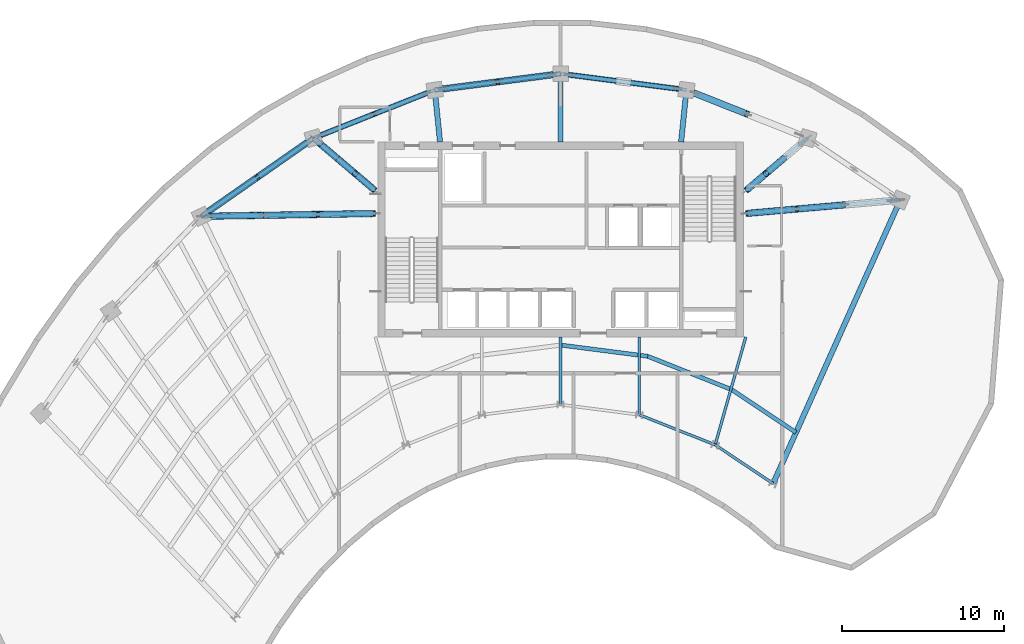
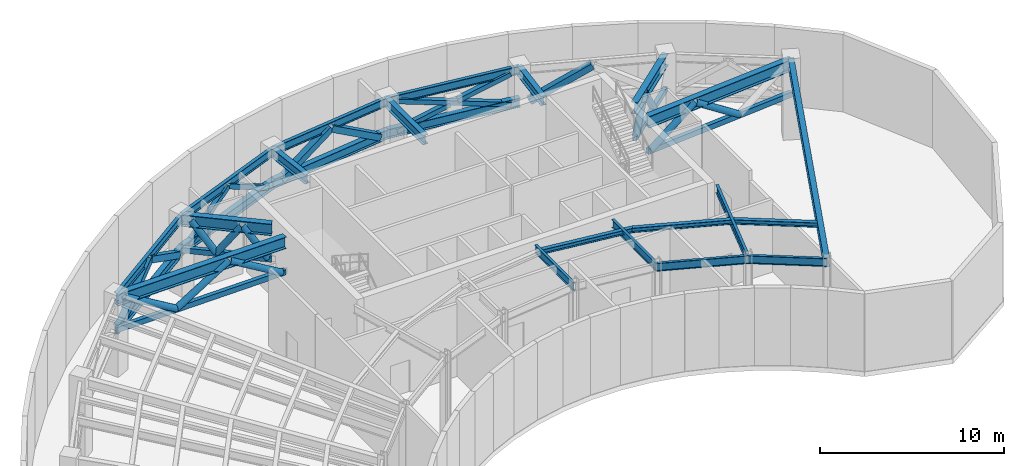
# One storey, part 2 of 10: 24 beams, 24 members.
"""IFC4 building model written with IfcOpenShell, lengths in metres."""

from ifc_helpers import new_model, si_unit, direction, frame, origin, origin_2d, place, context, subcontext, project, spatial, hollow_rectangle, hollow_circle, i_section, extrude, source, transform, mapped, material, material_profile, profile_set, type_object, type_shapes, element, save


model = new_model("IFC4")

# Units and contexts
model_context = context("Model", 3, precision=1e-05, world=origin(), true_north=direction((0.0, 1.0)))
body_context = subcontext(model_context, "Body", "Model", "MODEL_VIEW")
ifc_project = project(units=[si_unit("LENGTHUNIT", "METRE"), si_unit("AREAUNIT", "SQUARE_METRE"), si_unit("VOLUMEUNIT", "CUBIC_METRE"), si_unit("PLANEANGLEUNIT", "RADIAN"), si_unit("MASSUNIT", "GRAM", prefix="KILO")], contexts=[model_context])

# Site, building, storey
site_placement = place(None, origin())
site = spatial("IfcSite", under=ifc_project, at=site_placement, CompositionType="ELEMENT")
building_placement = place(site_placement, origin())
building = spatial("IfcBuilding", under=site, at=building_placement, Name="Breltana Convention Tower", CompositionType="ELEMENT")
storey_placement = place(building_placement, frame((0.0, 0.0, 254.699951171875)))
storey = spatial("IfcBuildingStorey", under=building, at=storey_placement, Name="L62", CompositionType="ELEMENT", Elevation=254.699951171875)

# Members
ifc_material_1 = material(Name="Steel EN 10210 S355J2H", Category="steel")
ifc_material_profile_1 = material_profile(ifc_material_1, hollow_rectangle(XDim=0.25, YDim=0.35009765625, WallThickness=0.011962890625, at=origin_2d()), Name="RHS350X250X12")
ifc_profile_set_1 = profile_set([ifc_material_profile_1], Name="Steel EN 10210 S355J2H")
member_type_1 = type_object("IfcMemberType", Name="MB-CH-RHS350X250X12", PredefinedType="CHORD", material=ifc_profile_set_1)
shared_shape_1 = source(origin(), body_context, "Body", "SweptSolid", [
    extrude(hollow_rectangle(XDim=0.25, YDim=0.35009765625, WallThickness=0.011962890625, at=origin_2d()), origin(), (0.0, 0.0, 1.0), 10.7138671875),
])
type_shapes(member_type_1, [shared_shape_1])
member_1_placement = place(storey_placement, frame((36.60009765625, 67.800048828125, 2.75), z_axis=(-0.999869477978, -0.016156330277, 0.0), x_axis=(0.016156330277, -0.999869477978, 0.0)))
element("IfcMember", 1, at=member_1_placement, inside=storey, type_object=member_type_1, Name="L62 Outrigger Truss Bottom Chord R03W", PredefinedType="CHORD", context=body_context, shape_type="MappedRepresentation", body=[
    mapped(shared_shape_1, transform((0.0, 0.0, 0.0), scale=1.0)),
])
shared_shape_2 = source(origin(), body_context, "Body", "SweptSolid", [
    extrude(hollow_rectangle(XDim=0.25, YDim=0.35009765625, WallThickness=0.011962890625, at=origin_2d()), origin(), (0.0, 0.0, 1.0), 5.002197265625),
])
for number, where, z_axis, x_axis, name in (
    (2, (36.60009765625, 69.199951171875, 2.75), (-0.761474293841, 0.648195109377, 0.0), (-0.648195109377, -0.761474293841, 0.0), "L62 Outrigger Truss Bottom Chord R04N"),
    (3, (59.39990234375, 69.199951171875, 2.75), (0.761474293841, 0.648195109377, 0.0), (-0.648195109377, 0.761474293841, 0.0), "L62 Outrigger Truss Bottom Chord R08N"),
):
    element("IfcMember", number, at=place(storey_placement, frame(where, z_axis=z_axis, x_axis=x_axis)), inside=storey, type_object=member_type_1, Name=name, PredefinedType="CHORD", context=body_context, shape_type="MappedRepresentation", body=[
        mapped(shared_shape_2, transform((0.0, 0.0, 0.0), scale=1.0)),
    ])
shared_shape_3 = source(origin(), body_context, "Body", "SweptSolid", [
    extrude(hollow_rectangle(XDim=0.25, YDim=0.35009765625, WallThickness=0.011962890625, at=origin_2d()), origin(), (0.0, 0.0, 1.0), 9.546875),
])
member_2_placement = place(storey_placement, frame((59.39990234375, 67.800048828125, 2.75), z_axis=(0.996183857182, 0.087279566283, 0.0), x_axis=(-0.087279566283, 0.996183857182, 0.0)))
element("IfcMember", 4, at=member_2_placement, inside=storey, type_object=member_type_1, Name="L62 Outrigger Truss Bottom Chord R09E", PredefinedType="CHORD", context=body_context, shape_type="MappedRepresentation", body=[
    mapped(shared_shape_3, transform((0.0, 0.0, 0.0), scale=1.0)),
])

# Beams
ifc_material_2 = material(Name="Steel ASTM A992 Grade 50", Category="steel")
ifc_material_profile_2 = material_profile(ifc_material_2, i_section(OverallWidth=0.323974609375, OverallDepth=0.611083984375, WebThickness=0.0126953125, FlangeThickness=0.01904296875, at=origin_2d()), Name="W24X104")
ifc_profile_set_2 = profile_set([ifc_material_profile_2], Name="Steel ASTM A992 Grade 50")
beam_type_1 = type_object("IfcBeamType", Name="BM-SP-W24X104", PredefinedType="SPANDREL", material=ifc_profile_set_2)
shared_shape_4 = source(origin(), body_context, "Body", "SweptSolid", [
    extrude(i_section(OverallWidth=0.323974609375, OverallDepth=0.611083984375, WebThickness=0.0126953125, FlangeThickness=0.01904296875, at=origin_2d()), origin(), (0.0, 0.0, 1.0), 8.4169921875),
])
beam_1_placement = place(storey_placement, frame((25.8876953125, 67.626953125, 2.75), z_axis=(0.820173800102, 0.572114444519, 0.0), x_axis=(-0.572114444519, 0.820173800102, 0.0)))
element("IfcBeam", 5, at=beam_1_placement, inside=storey, type_object=beam_type_1, Name="L62 Perimeter Belt Truss Sill Chord 03", PredefinedType="SPANDREL", context=body_context, shape_type="MappedRepresentation", body=[
    mapped(shared_shape_4, transform((0.0, 0.0, 0.0), scale=1.0)),
])
shared_shape_5 = source(origin(), body_context, "Body", "SweptSolid", [
    extrude(i_section(OverallWidth=0.323974609375, OverallDepth=0.611083984375, WebThickness=0.0126953125, FlangeThickness=0.01904296875, at=origin_2d()), origin(), (0.0, 0.0, 1.0), 8.028564453125),
])
beam_2_placement = place(storey_placement, frame((32.791015625, 72.4423828125, 2.75), z_axis=(0.929459100394, 0.368925169507, 0.0), x_axis=(-0.368925169507, 0.929459100394, 0.0)))
element("IfcBeam", 6, at=beam_2_placement, inside=storey, type_object=beam_type_1, Name="L62 Perimeter Belt Truss Sill Chord 04", PredefinedType="SPANDREL", context=body_context, shape_type="MappedRepresentation", body=[
    mapped(shared_shape_5, transform((0.0, 0.0, 0.0), scale=1.0)),
])
shared_shape_6 = source(origin(), body_context, "Body", "SweptSolid", [
    extrude(i_section(OverallWidth=0.323974609375, OverallDepth=0.611083984375, WebThickness=0.0126953125, FlangeThickness=0.01904296875, at=origin_2d()), origin(), (0.0, 0.0, 1.0), 7.81103515625),
])
for number, where, z_axis, x_axis, name in (
    (7, (40.253173828125, 75.404296875, 2.75), (0.991775179127, 0.127992164083, 0.0), (-0.127992164083, 0.991775179127, 0.0), "L62 Perimeter Belt Truss Sill Chord 05"),
    (8, (48.0, 76.404052734375, 2.75), (0.991775179127, -0.127992164083, 0.0), (0.127992164083, 0.991775179127, 0.0), "L62 Perimeter Belt Truss Sill Chord 06"),
):
    element("IfcBeam", number, at=place(storey_placement, frame(where, z_axis=z_axis, x_axis=x_axis)), inside=storey, type_object=beam_type_1, Name=name, PredefinedType="SPANDREL", context=body_context, shape_type="MappedRepresentation", body=[
        mapped(shared_shape_6, transform((0.0, 0.0, 0.0), scale=1.0)),
    ])
ifc_material_profile_3 = material_profile(ifc_material_2, i_section(OverallWidth=0.381103515625, OverallDepth=0.77294921875, WebThickness=0.0166015625, FlangeThickness=0.027099609375, at=origin_2d()), Name="W30X173")
ifc_profile_set_3 = profile_set([ifc_material_profile_3], Name="Steel ASTM A992 Grade 50")
beam_type_2 = type_object("IfcBeamType", Name="BM-OT-W30X173", PredefinedType="USERDEFINED", material=ifc_profile_set_3)
shared_shape_7 = source(origin(), body_context, "Body", "SweptSolid", [
    extrude(i_section(OverallWidth=0.381103515625, OverallDepth=0.77294921875, WebThickness=0.0166015625, FlangeThickness=0.027099609375, at=origin_2d()), origin(), (0.0, 0.0, 1.0), 10.7138671875),
])
type_shapes(beam_type_2, [shared_shape_7])
beam_3_placement = place(storey_placement, frame((36.60009765625, 67.800048828125, 4.763427734375), z_axis=(-0.999869477978, -0.016156330277, 0.0), x_axis=(0.016156330277, -0.999869477978, 0.0)))
element("IfcBeam", 9, at=beam_3_placement, inside=storey, type_object=beam_type_2, Name="L62 Outrigger Top Chord R03W", ObjectType="GIRDER", PredefinedType="USERDEFINED", context=body_context, shape_type="MappedRepresentation", body=[
    mapped(shared_shape_7, transform((0.0, 0.0, 0.0), scale=1.0)),
])
shared_shape_8 = source(origin(), body_context, "Body", "SweptSolid", [
    extrude(i_section(OverallWidth=0.381103515625, OverallDepth=0.77294921875, WebThickness=0.0166015625, FlangeThickness=0.027099609375, at=origin_2d()), origin(), (0.0, 0.0, 1.0), 5.002197265625),
])
for number, where, z_axis, x_axis, name in (
    (10, (36.60009765625, 69.199951171875, 4.763427734375), (-0.761474293841, 0.648195109377, 0.0), (-0.648195109377, -0.761474293841, 0.0), "L62 Outrigger Top Chord R04N"),
    (11, (59.39990234375, 69.199951171875, 4.763427734375), (0.761474293841, 0.648195109377, 0.0), (-0.648195109377, 0.761474293841, 0.0), "L62 Outrigger Top Chord R08N"),
):
    element("IfcBeam", number, at=place(storey_placement, frame(where, z_axis=z_axis, x_axis=x_axis)), inside=storey, type_object=beam_type_2, Name=name, ObjectType="GIRDER", PredefinedType="USERDEFINED", context=body_context, shape_type="MappedRepresentation", body=[
        mapped(shared_shape_8, transform((0.0, 0.0, 0.0), scale=1.0)),
    ])
shared_shape_9 = source(origin(), body_context, "Body", "SweptSolid", [
    extrude(i_section(OverallWidth=0.381103515625, OverallDepth=0.77294921875, WebThickness=0.0166015625, FlangeThickness=0.027099609375, at=origin_2d()), origin(), (0.0, 0.0, 1.0), 9.546875),
])
beam_4_placement = place(storey_placement, frame((59.39990234375, 67.800048828125, 4.763427734375), z_axis=(0.996183857182, 0.087279566283, 0.0), x_axis=(-0.087279566283, 0.996183857182, 0.0)))
element("IfcBeam", 12, at=beam_4_placement, inside=storey, type_object=beam_type_2, Name="L62 Outrigger Top Chord R09E", ObjectType="GIRDER", PredefinedType="USERDEFINED", context=body_context, shape_type="MappedRepresentation", body=[
    mapped(shared_shape_9, transform((0.0, 0.0, 0.0), scale=1.0)),
])

# Members
ifc_material_profile_4 = material_profile(ifc_material_1, hollow_circle(Radius=0.202880859375, WallThickness=0.01611328125, at=origin_2d()), Name="CHS406X16")
ifc_profile_set_4 = profile_set([ifc_material_profile_4], Name="Steel EN 10210 S355J2H")
member_type_2 = type_object("IfcMemberType", Name="MB-BR-CHS406X16", PredefinedType="BRACE", material=ifc_profile_set_4)
shared_shape_10 = source(origin(), body_context, "Body", "SweptSolid", [
    extrude(hollow_circle(Radius=0.202880859375, WallThickness=0.01611328125, at=origin_2d()), origin(), (0.0, 0.0, 1.0), 3.898193359375),
])
for number, where, z_axis, x_axis, name in (
    (13, (36.39990234375, 67.796875, 2.75), (-0.856164867566, -0.013841436411, 0.516517312569), (0.016164676285, -0.999869343085, 0.0), "L62 Outrigger Truss Diagonal 1 R03W"),
    (14, (33.0625, 67.742919921875, 4.763427734375), (-0.856164867566, -0.013841436411, -0.516517312569), (0.016164676285, -0.999869343085, 0.0), "L62 Outrigger Truss Diagonal 2 R03W"),
    (15, (29.72509765625, 67.68896484375, 2.75), (-0.856164867566, -0.013841436411, 0.516517312569), (0.016164676285, -0.999869343085, 0.0), "L62 Outrigger Truss Diagonal 3 R03W"),
):
    element("IfcMember", number, at=place(storey_placement, frame(where, z_axis=z_axis, x_axis=x_axis)), inside=storey, type_object=member_type_2, Name=name, PredefinedType="BRACE", context=body_context, shape_type="MappedRepresentation", body=[
        mapped(shared_shape_10, transform((0.0, 0.0, 0.0), scale=1.0)),
    ])
shared_shape_11 = source(origin(), body_context, "Body", "SweptSolid", [
    extrude(hollow_circle(Radius=0.202880859375, WallThickness=0.01611328125, at=origin_2d()), origin(), (0.0, 0.0, 1.0), 2.471923828125),
])
for number, where, z_axis, x_axis, name in (
    (16, (36.44775390625, 69.32958984375, 2.75), (-0.441764899788, 0.376087802011, 0.814494774995), (-0.648236249952, -0.761439271543, 0.0), "L62 Outrigger Truss Diagonal 1 R04N"),
    (17, (35.355712890625, 70.25927734375, 4.763427734375), (-0.441781307194, 0.37600300391, -0.814525025806), (-0.64813753594, -0.761523298728, 0.0), "L62 Outrigger Truss Diagonal 2 R04N"),
    (18, (34.263671875, 71.188720703125, 2.75), (-0.441764899788, 0.376087802011, 0.814494774995), (-0.648236249952, -0.761439271543, 0.0), "L62 Outrigger Truss Diagonal 3 R04N"),
    (19, (59.55224609375, 69.32958984375, 2.75), (0.441764899788, 0.376087802011, 0.814494774995), (-0.648236249952, 0.761439271543, 0.0), "L62 Outrigger Truss Diagonal 1 R08N"),
    (20, (60.644287109375, 70.25927734375, 4.763427734375), (0.441781307194, 0.37600300391, -0.814525025806), (-0.64813753594, 0.761523298728, 0.0), "L62 Outrigger Truss Diagonal 2 R08N"),
):
    element("IfcMember", number, at=place(storey_placement, frame(where, z_axis=z_axis, x_axis=x_axis)), inside=storey, type_object=member_type_2, Name=name, PredefinedType="BRACE", context=body_context, shape_type="MappedRepresentation", body=[
        mapped(shared_shape_11, transform((0.0, 0.0, 0.0), scale=1.0)),
    ])
shared_shape_12 = source(origin(), body_context, "Body", "SweptSolid", [
    extrude(hollow_circle(Radius=0.202880859375, WallThickness=0.01611328125, at=origin_2d()), origin(), (0.0, 0.0, 1.0), 3.571044921875),
])
member_3_placement = place(storey_placement, frame((59.59912109375, 67.8173828125, 2.75), z_axis=(0.822736516647, 0.072127889734, 0.563828157951), x_axis=(-0.087333305676, 0.996179147403, 0.0)))
element("IfcMember", 21, at=member_3_placement, inside=storey, type_object=member_type_2, Name="L62 Outrigger Truss Diagonal 1 R09E", PredefinedType="BRACE", context=body_context, shape_type="MappedRepresentation", body=[
    mapped(shared_shape_12, transform((0.0, 0.0, 0.0), scale=1.0)),
])
shared_shape_13 = source(origin(), body_context, "Body", "SweptSolid", [
    extrude(hollow_circle(Radius=0.202880859375, WallThickness=0.01611328125, at=origin_2d()), origin(), (0.0, 0.0, 1.0), 3.570556640625),
])
member_4_placement = place(storey_placement, frame((62.537109375, 68.074951171875, 4.763427734375), z_axis=(0.822696385264, 0.072067984547, -0.563894372446), x_axis=(-0.087265548524, 0.996185085233, 0.0)))
element("IfcMember", 22, at=member_4_placement, inside=storey, type_object=member_type_2, Name="L62 Outrigger Truss Diagonal 2 R09E", PredefinedType="BRACE", context=body_context, shape_type="MappedRepresentation", body=[
    mapped(shared_shape_13, transform((0.0, 0.0, 0.0), scale=1.0)),
])
ifc_material_profile_5 = material_profile(ifc_material_1, hollow_rectangle(XDim=0.39990234375, YDim=0.39990234375, WallThickness=0.01611328125, at=origin_2d()), Name="RHS400X400X16")
ifc_profile_set_5 = profile_set([ifc_material_profile_5], Name="Steel EN 10210 S355J2H")
member_type_3 = type_object("IfcMemberType", Name="MB-BR-RHS400X400X16", PredefinedType="BRACE", material=ifc_profile_set_5)
shared_shape_14 = source(origin(), body_context, "Body", "SweptSolid", [
    extrude(hollow_rectangle(XDim=0.39990234375, YDim=0.39990234375, WallThickness=0.01611328125, at=origin_2d()), origin(), (0.0, 0.0, 1.0), 4.176025390625),
])
member_5_placement = place(storey_placement, frame((26.3388671875, 67.941650390625, 2.75), z_axis=(0.718516180904, 0.501265885685, 0.482148327414), x_axis=(-0.57216280693, 0.820140062651, 0.0)))
element("IfcMember", 23, at=member_5_placement, inside=storey, type_object=member_type_3, Name="L62 Perimeter Belt Truss Brace 03A", PredefinedType="BRACE", context=body_context, shape_type="MappedRepresentation", body=[
    mapped(shared_shape_14, transform((0.0, 0.0, 0.0), scale=1.0)),
])
shared_shape_15 = source(origin(), body_context, "Body", "SweptSolid", [
    extrude(hollow_rectangle(XDim=0.39990234375, YDim=0.39990234375, WallThickness=0.01611328125, at=origin_2d()), origin(), (0.0, 0.0, 1.0), 4.17578125),
])
member_6_placement = place(storey_placement, frame((29.33935546875, 70.034912109375, 4.763427734375), z_axis=(0.718558293003, 0.50117833097, -0.482176586037), x_axis=(-0.572073024379, 0.820202691277, 0.0)))
element("IfcMember", 24, at=member_6_placement, inside=storey, type_object=member_type_3, Name="L62 Perimeter Belt Truss Brace 03B", PredefinedType="BRACE", context=body_context, shape_type="MappedRepresentation", body=[
    mapped(shared_shape_15, transform((0.0, 0.0, 0.0), scale=1.0)),
])
ifc_material_profile_6 = material_profile(ifc_material_1, hollow_rectangle(XDim=0.300048828125, YDim=0.300048828125, WallThickness=0.011962890625, at=origin_2d()), Name="RHS300X300X12")
ifc_profile_set_6 = profile_set([ifc_material_profile_6], Name="Steel EN 10210 S355J2H")
member_type_4 = type_object("IfcMemberType", Name="MB-BR-RHS300X300X12", PredefinedType="BRACE", material=ifc_profile_set_6)
shared_shape_16 = source(origin(), body_context, "Body", "SweptSolid", [
    extrude(hollow_rectangle(XDim=0.300048828125, YDim=0.300048828125, WallThickness=0.011962890625, at=origin_2d()), origin(), (0.0, 0.0, 1.0), 4.0068359375),
])
member_7_placement = place(storey_placement, frame((33.30224609375, 72.6455078125, 2.75), z_axis=(0.803598104465, 0.318965507383, 0.502484916789), x_axis=(-0.368922833074, 0.929460027778, 0.0)))
element("IfcMember", 25, at=member_7_placement, inside=storey, type_object=member_type_4, Name="L62 Perimeter Belt Truss Brace 04A", PredefinedType="BRACE", context=body_context, shape_type="MappedRepresentation", body=[
    mapped(shared_shape_16, transform((0.0, 0.0, 0.0), scale=1.0)),
])
shared_shape_17 = source(origin(), body_context, "Body", "SweptSolid", [
    extrude(hollow_rectangle(XDim=0.300048828125, YDim=0.300048828125, WallThickness=0.011962890625, at=origin_2d()), origin(), (0.0, 0.0, 1.0), 4.006591796875),
])
member_8_placement = place(storey_placement, frame((36.522216796875, 73.923583984375, 4.763427734375), z_axis=(0.803592137353, 0.318926391182, -0.502519286985), x_axis=(-0.368886113541, 0.929474601717, 0.0)))
element("IfcMember", 26, at=member_8_placement, inside=storey, type_object=member_type_4, Name="L62 Perimeter Belt Truss Brace 04B", PredefinedType="BRACE", context=body_context, shape_type="MappedRepresentation", body=[
    mapped(shared_shape_17, transform((0.0, 0.0, 0.0), scale=1.0)),
])
shared_shape_18 = source(origin(), body_context, "Body", "SweptSolid", [
    extrude(hollow_rectangle(XDim=0.39990234375, YDim=0.39990234375, WallThickness=0.01611328125, at=origin_2d()), origin(), (0.0, 0.0, 1.0), 3.913330078125),
])
member_9_placement = place(storey_placement, frame((40.798583984375, 75.474853515625, 2.75), z_axis=(0.850442535073, 0.109736533098, 0.514495274849), x_axis=(-0.127973646087, 0.991777568766, 0.0)))
element("IfcMember", 27, at=member_9_placement, inside=storey, type_object=member_type_3, Name="L62 Perimeter Belt Truss Brace 05A", PredefinedType="BRACE", context=body_context, shape_type="MappedRepresentation", body=[
    mapped(shared_shape_18, transform((0.0, 0.0, 0.0), scale=1.0)),
])
shared_shape_19 = source(origin(), body_context, "Body", "SweptSolid", [
    extrude(hollow_rectangle(XDim=0.39990234375, YDim=0.39990234375, WallThickness=0.01611328125, at=origin_2d()), origin(), (0.0, 0.0, 1.0), 3.9130859375),
])
member_10_placement = place(storey_placement, frame((44.126708984375, 75.904296875, 4.763427734375), z_axis=(0.850431089629, 0.109680717157, -0.51452609465), x_axis=(-0.127911312618, 0.99178560995, 0.0)))
element("IfcMember", 28, at=member_10_placement, inside=storey, type_object=member_type_3, Name="L62 Perimeter Belt Truss Brace 05B", PredefinedType="BRACE", context=body_context, shape_type="MappedRepresentation", body=[
    mapped(shared_shape_19, transform((0.0, 0.0, 0.0), scale=1.0)),
])
shared_shape_20 = source(origin(), body_context, "Body", "SweptSolid", [
    extrude(hollow_rectangle(XDim=0.300048828125, YDim=0.300048828125, WallThickness=0.011962890625, at=origin_2d()), origin(), (0.0, 0.0, 1.0), 7.006591796875),
])
member_11_placement = place(storey_placement, frame((48.54541015625, 76.33349609375, 4.763427734375), z_axis=(0.949951380349, -0.122546271675, -0.287358289027), x_axis=(0.127942480685, 0.991781589684, 0.0)))
element("IfcMember", 29, at=member_11_placement, inside=storey, type_object=member_type_4, Name="L62 Perimeter Belt Truss Brace 06", PredefinedType="BRACE", context=body_context, shape_type="MappedRepresentation", body=[
    mapped(shared_shape_20, transform((0.0, 0.0, 0.0), scale=1.0)),
])
shared_shape_21 = source(origin(), body_context, "Body", "SweptSolid", [
    extrude(hollow_rectangle(XDim=0.300048828125, YDim=0.300048828125, WallThickness=0.011962890625, at=origin_2d()), origin(), (0.0, 0.0, 1.0), 3.263427734375),
])
for number, where, z_axis, x_axis, name in (
    (30, (48.54541015625, 76.33349609375, 2.75), (0.949954456423, -0.122540982802, 0.287350375423), (0.127936641807, 0.991782342897, 0.0), "L62 Split X-Brace Lower Segment 06A"),
    (31, (52.101318359375, 75.874755859375, 3.82568359375), (0.949954456423, -0.122540982802, 0.287350375423), (0.127936641807, 0.991782342897, 0.0), "L62 Split X-Brace Upper Segment 06B"),
):
    element("IfcMember", number, at=place(storey_placement, frame(where, z_axis=z_axis, x_axis=x_axis)), inside=storey, type_object=member_type_4, Name=name, PredefinedType="BRACE", context=body_context, shape_type="MappedRepresentation", body=[
        mapped(shared_shape_21, transform((0.0, 0.0, 0.0), scale=1.0)),
    ])
shared_shape_22 = source(origin(), body_context, "Body", "SweptSolid", [
    extrude(hollow_rectangle(XDim=0.39990234375, YDim=0.39990234375, WallThickness=0.01611328125, at=origin_2d()), origin(), (0.0, 0.0, 1.0), 4.006591796875),
])
member_12_placement = place(storey_placement, frame((56.258056640625, 75.201416015625, 2.75), z_axis=(0.803592137353, -0.318926391182, 0.502519286985), x_axis=(0.368886113541, 0.929474601717, 0.0)))
element("IfcMember", 32, at=member_12_placement, inside=storey, type_object=member_type_3, Name="L62 Perimeter Belt Truss Brace 07A", PredefinedType="BRACE", context=body_context, shape_type="MappedRepresentation", body=[
    mapped(shared_shape_22, transform((0.0, 0.0, 0.0), scale=1.0)),
])

# Beams
ifc_material_profile_7 = material_profile(ifc_material_2, i_section(OverallWidth=0.166015625, OverallDepth=0.534912109375, WebThickness=0.01025390625, FlangeThickness=0.0166015625, at=origin_2d()), Name="W21X57")
ifc_profile_set_7 = profile_set([ifc_material_profile_7], Name="Steel ASTM A992 Grade 50")
beam_type_3 = type_object("IfcBeamType", Name="BM-BM-W21X57", PredefinedType="BEAM", material=ifc_profile_set_7)
shared_shape_23 = source(origin(), body_context, "Body", "SweptSolid", [
    extrude(i_section(OverallWidth=0.166015625, OverallDepth=0.534912109375, WebThickness=0.01025390625, FlangeThickness=0.0166015625, at=origin_2d()), origin(), (0.0, 0.0, 1.0), 6.904541015625),
])
type_shapes(beam_type_3, [shared_shape_23])
beam_5_placement = place(storey_placement, frame((59.39990234375, 60.199951171875, 4.882568359375), z_axis=(-0.273006781054, -0.962012108811, 0.0), x_axis=(0.962012108811, -0.273006781054, 0.0)))
element("IfcBeam", 33, at=beam_5_placement, inside=storey, type_object=beam_type_3, Name="L62 South Core Tie Girder R08", PredefinedType="BEAM", context=body_context, shape_type="MappedRepresentation", body=[
    mapped(shared_shape_23, transform((0.0, 0.0, 0.0), scale=1.0)),
])
shared_shape_24 = source(origin(), body_context, "Body", "SweptSolid", [
    extrude(i_section(OverallWidth=0.166015625, OverallDepth=0.534912109375, WebThickness=0.01025390625, FlangeThickness=0.0166015625, at=origin_2d()), origin(), (0.0, 0.0, 1.0), 4.789306640625),
])
beam_6_placement = place(storey_placement, frame((52.846435546875, 60.199951171875, 4.882568359375), z_axis=(0.0, -1.0, 0.0), x_axis=(1.0, 0.0, 0.0)))
element("IfcBeam", 34, at=beam_6_placement, inside=storey, type_object=beam_type_3, Name="L62 South Core Tie Girder R07", PredefinedType="BEAM", context=body_context, shape_type="MappedRepresentation", body=[
    mapped(shared_shape_24, transform((0.0, 0.0, 0.0), scale=1.0)),
])
shared_shape_25 = source(origin(), body_context, "Body", "SweptSolid", [
    extrude(i_section(OverallWidth=0.166015625, OverallDepth=0.534912109375, WebThickness=0.01025390625, FlangeThickness=0.0166015625, at=origin_2d()), origin(), (0.0, 0.0, 1.0), 4.1640625),
])
beam_7_placement = place(storey_placement, frame((48.0, 60.199951171875, 4.882568359375), z_axis=(0.0, -1.0, 0.0), x_axis=(1.0, 0.0, 0.0)))
element("IfcBeam", 35, at=beam_7_placement, inside=storey, type_object=beam_type_3, Name="L62 South Core Tie Girder R06", PredefinedType="BEAM", context=body_context, shape_type="MappedRepresentation", body=[
    mapped(shared_shape_25, transform((0.0, 0.0, 0.0), scale=1.0)),
])
shared_shape_26 = source(origin(), body_context, "Body", "SweptSolid", [
    extrude(i_section(OverallWidth=0.166015625, OverallDepth=0.534912109375, WebThickness=0.01025390625, FlangeThickness=0.0166015625, at=origin_2d()), origin(), (0.0, 0.0, 1.0), 5.022705078125),
])
beam_8_placement = place(storey_placement, frame((52.846435546875, 55.41064453125, 4.882568359375), z_axis=(0.929458966248, -0.368925507469, 0.0), x_axis=(0.368925507469, 0.929458966248, 0.0)))
element("IfcBeam", 36, at=beam_8_placement, inside=storey, type_object=beam_type_3, Name="L62 Inner Ring Beam 07", PredefinedType="BEAM", context=body_context, shape_type="MappedRepresentation", body=[
    mapped(shared_shape_26, transform((0.0, 0.0, 0.0), scale=1.0)),
])
shared_shape_27 = source(origin(), body_context, "Body", "SweptSolid", [
    extrude(i_section(OverallWidth=0.166015625, OverallDepth=0.534912109375, WebThickness=0.01025390625, FlangeThickness=0.0166015625, at=origin_2d()), origin(), (0.0, 0.0, 1.0), 4.2900390625),
])
beam_9_placement = place(storey_placement, frame((57.514892578125, 53.5576171875, 4.882568359375), z_axis=(0.831515827753, -0.555501060482, 0.0), x_axis=(0.555501060482, 0.831515827753, 0.0)))
element("IfcBeam", 37, at=beam_9_placement, inside=storey, type_object=beam_type_3, Name="L62 Inner Ring Beam 08", PredefinedType="BEAM", context=body_context, shape_type="MappedRepresentation", body=[
    mapped(shared_shape_27, transform((0.0, 0.0, 0.0), scale=1.0)),
])
ifc_material_profile_8 = material_profile(ifc_material_2, i_section(OverallWidth=0.326904296875, OverallDepth=0.6220703125, WebThickness=0.015380859375, FlangeThickness=0.0244140625, at=origin_2d()), Name="W24X131")
ifc_profile_set_8 = profile_set([ifc_material_profile_8], Name="Steel ASTM A992 Grade 50")
beam_type_4 = type_object("IfcBeamType", Name="BM-RG-W24X131", PredefinedType="USERDEFINED", material=ifc_profile_set_8)
shared_shape_28 = source(origin(), body_context, "Body", "SweptSolid", [
    extrude(i_section(OverallWidth=0.326904296875, OverallDepth=0.6220703125, WebThickness=0.015380859375, FlangeThickness=0.0244140625, at=origin_2d()), origin(), (0.0, 0.0, 1.0), 3.220947265625),
])
for number, where, z_axis, x_axis, name in (
    (38, (40.580078125, 72.199951171875, 4.839111328125), (-0.101492254858, 0.994836329355, 0.0), (-0.994836329355, -0.101492254858, 0.0), "L62 North Core Radial Girder R05"),
    (39, (55.419921875, 72.199951171875, 4.839111328125), (0.101492254858, 0.994836329355, 0.0), (-0.994836329355, 0.101492254858, 0.0), "L62 North Core Radial Girder R07"),
):
    element("IfcBeam", number, at=place(storey_placement, frame(where, z_axis=z_axis, x_axis=x_axis)), inside=storey, type_object=beam_type_4, Name=name, ObjectType="GIRDER", PredefinedType="USERDEFINED", context=body_context, shape_type="MappedRepresentation", body=[
        mapped(shared_shape_28, transform((0.0, 0.0, 0.0), scale=1.0)),
    ])
shared_shape_29 = source(origin(), body_context, "Body", "SweptSolid", [
    extrude(i_section(OverallWidth=0.326904296875, OverallDepth=0.6220703125, WebThickness=0.015380859375, FlangeThickness=0.0244140625, at=origin_2d()), origin(), (0.0, 0.0, 1.0), 4.2041015625),
])
beam_10_placement = place(storey_placement, frame((48.0, 72.199951171875, 4.839111328125), z_axis=(0.0, 1.0, 0.0), x_axis=(-1.0, 0.0, 0.0)))
element("IfcBeam", 40, at=beam_10_placement, inside=storey, type_object=beam_type_4, Name="L62 North Core Radial Girder R06", ObjectType="GIRDER", PredefinedType="USERDEFINED", context=body_context, shape_type="MappedRepresentation", body=[
    mapped(shared_shape_29, transform((0.0, 0.0, 0.0), scale=1.0)),
])
shared_shape_30 = source(origin(), body_context, "Body", "SweptSolid", [
    extrude(i_section(OverallWidth=0.326904296875, OverallDepth=0.6220703125, WebThickness=0.015380859375, FlangeThickness=0.0244140625, at=origin_2d()), origin(), (0.0, 0.0, 1.0), 19.133544921875),
])
beam_11_placement = place(storey_placement, frame((61.08203125, 51.174560546875, 4.839111328125), z_axis=(0.409144564164, 0.912469575172, 0.0), x_axis=(-0.912469575172, 0.409144564164, 0.0)))
element("IfcBeam", 41, at=beam_11_placement, inside=storey, type_object=beam_type_4, Name="L62 Radial Floor Girder R09", ObjectType="GIRDER", PredefinedType="USERDEFINED", context=body_context, shape_type="MappedRepresentation", body=[
    mapped(shared_shape_30, transform((0.0, 0.0, 0.0), scale=1.0)),
])
ifc_material_profile_9 = material_profile(ifc_material_2, i_section(OverallWidth=0.214111328125, OverallDepth=0.549072265625, WebThickness=0.0146484375, FlangeThickness=0.023681640625, at=origin_2d()), Name="W21X93")
ifc_profile_set_9 = profile_set([ifc_material_profile_9], Name="Steel ASTM A992 Grade 50")
beam_type_5 = type_object("IfcBeamType", Name="BM-SP-W21X93", PredefinedType="SPANDREL", material=ifc_profile_set_9)
shared_shape_31 = source(origin(), body_context, "Body", "SweptSolid", [
    extrude(i_section(OverallWidth=0.214111328125, OverallDepth=0.549072265625, WebThickness=0.0146484375, FlangeThickness=0.023681640625, at=origin_2d()), origin(), (0.0, 0.0, 1.0), 8.4169921875),
])
beam_12_placement = place(storey_placement, frame((25.8876953125, 67.626953125, 4.87548828125), z_axis=(0.820173800102, 0.572114444519, 0.0), x_axis=(-0.572114444519, 0.820173800102, 0.0)))
element("IfcBeam", 42, at=beam_12_placement, inside=storey, type_object=beam_type_5, Name="L62 Outer Spandrel Beam 03", PredefinedType="SPANDREL", context=body_context, shape_type="MappedRepresentation", body=[
    mapped(shared_shape_31, transform((0.0, 0.0, 0.0), scale=1.0)),
])
shared_shape_32 = source(origin(), body_context, "Body", "SweptSolid", [
    extrude(i_section(OverallWidth=0.214111328125, OverallDepth=0.549072265625, WebThickness=0.0146484375, FlangeThickness=0.023681640625, at=origin_2d()), origin(), (0.0, 0.0, 1.0), 8.028564453125),
])
beam_13_placement = place(storey_placement, frame((32.791015625, 72.4423828125, 4.87548828125), z_axis=(0.929459100394, 0.368925169507, 0.0), x_axis=(-0.368925169507, 0.929459100394, 0.0)))
element("IfcBeam", 43, at=beam_13_placement, inside=storey, type_object=beam_type_5, Name="L62 Outer Spandrel Beam 04", PredefinedType="SPANDREL", context=body_context, shape_type="MappedRepresentation", body=[
    mapped(shared_shape_32, transform((0.0, 0.0, 0.0), scale=1.0)),
])
shared_shape_33 = source(origin(), body_context, "Body", "SweptSolid", [
    extrude(i_section(OverallWidth=0.214111328125, OverallDepth=0.549072265625, WebThickness=0.0146484375, FlangeThickness=0.023681640625, at=origin_2d()), origin(), (0.0, 0.0, 1.0), 7.81103515625),
])
for number, where, z_axis, x_axis, name in (
    (44, (40.253173828125, 75.404296875, 4.87548828125), (0.991775179127, 0.127992164083, 0.0), (-0.127992164083, 0.991775179127, 0.0), "L62 Outer Spandrel Beam 05"),
    (45, (48.0, 76.404052734375, 4.87548828125), (0.991775179127, -0.127992164083, 0.0), (0.127992164083, 0.991775179127, 0.0), "L62 Outer Spandrel Beam 06"),
):
    element("IfcBeam", number, at=place(storey_placement, frame(where, z_axis=z_axis, x_axis=x_axis)), inside=storey, type_object=beam_type_5, Name=name, PredefinedType="SPANDREL", context=body_context, shape_type="MappedRepresentation", body=[
        mapped(shared_shape_33, transform((0.0, 0.0, 0.0), scale=1.0)),
    ])
ifc_material_profile_10 = material_profile(ifc_material_2, i_section(OverallWidth=0.25390625, OverallDepth=0.305908203125, WebThickness=0.0087890625, FlangeThickness=0.0146484375, at=origin_2d()), Name="W12X53")
ifc_profile_set_10 = profile_set([ifc_material_profile_10], Name="Steel ASTM A992 Grade 50")
beam_type_6 = type_object("IfcBeamType", Name="BM-JSG-10", PredefinedType="JOIST", material=ifc_profile_set_10)
shared_shape_34 = source(origin(), body_context, "Body", "SweptSolid", [
    extrude(i_section(OverallWidth=0.25390625, OverallDepth=0.305908203125, WebThickness=0.0087890625, FlangeThickness=0.0146484375, at=origin_2d()), origin(), (0.0, 0.0, 1.0), 5.563720703125),
])
beam_14_placement = place(storey_placement, frame((53.36865234375, 59.009521484375, 4.9970703125), z_axis=(0.929447960386, -0.368953234074, 0.0), x_axis=(0.368953234074, 0.929447960386, 0.0)))
element("IfcBeam", 46, at=beam_14_placement, inside=storey, type_object=beam_type_6, Name="L62 Composite Floor Joist 07.1", PredefinedType="JOIST", context=body_context, shape_type="MappedRepresentation", body=[
    mapped(shared_shape_34, transform((0.0, 0.0, 0.0), scale=1.0)),
])
shared_shape_35 = source(origin(), body_context, "Body", "SweptSolid", [
    extrude(i_section(OverallWidth=0.25390625, OverallDepth=0.305908203125, WebThickness=0.0087890625, FlangeThickness=0.0146484375, at=origin_2d()), origin(), (0.0, 0.0, 1.0), 5.4130859375),
])
beam_15_placement = place(storey_placement, frame((48.0, 59.7021484375, 4.9970703125), z_axis=(0.991780266945, -0.127952733848, 0.0), x_axis=(0.127952733848, 0.991780266945, 0.0)))
element("IfcBeam", 47, at=beam_15_placement, inside=storey, type_object=beam_type_6, Name="L62 Composite Floor Joist 06.1", PredefinedType="JOIST", context=body_context, shape_type="MappedRepresentation", body=[
    mapped(shared_shape_35, transform((0.0, 0.0, 0.0), scale=1.0)),
])
shared_shape_36 = source(origin(), body_context, "Body", "SweptSolid", [
    extrude(i_section(OverallWidth=0.25390625, OverallDepth=0.305908203125, WebThickness=0.0087890625, FlangeThickness=0.0146484375, at=origin_2d()), origin(), (0.0, 0.0, 1.0), 4.751953125),
])
beam_16_placement = place(storey_placement, frame((58.539794921875, 56.956787109375, 4.9970703125), z_axis=(0.831528257555, -0.555482454167, 0.0), x_axis=(0.555482454167, 0.831528257555, 0.0)))
element("IfcBeam", 48, at=beam_16_placement, inside=storey, type_object=beam_type_6, Name="L62 Composite Floor Joist 08.1", PredefinedType="JOIST", context=body_context, shape_type="MappedRepresentation", body=[
    mapped(shared_shape_36, transform((0.0, 0.0, 0.0), scale=1.0)),
])

save(model, "model.ifc")
